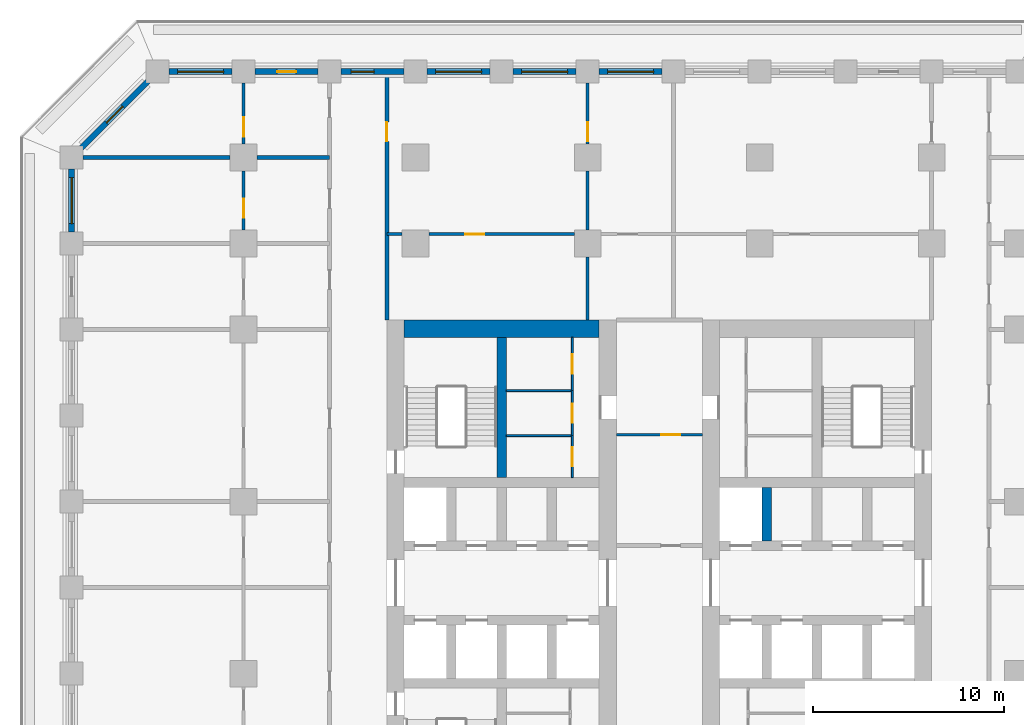
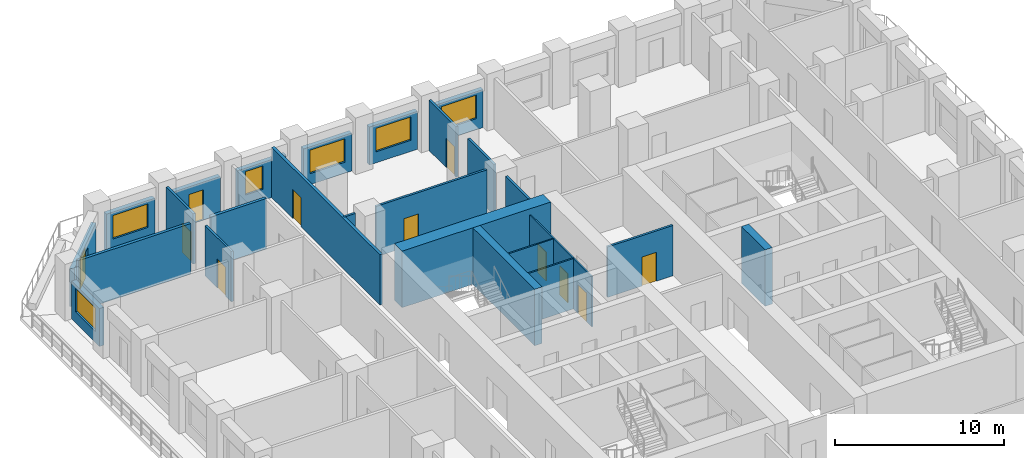
# One storey, part 7 of 17: 27 walls, 11 doors, 6 windows, 17 openings.
"""IFC4 building model written with IfcOpenShell, lengths in metres."""

from ifc_helpers import new_model, si_unit, direction, frame, frame_2d, origin, place, context, subcontext, project, spatial, rectangle, extrude, material, layer, layer_set, type_object, element, fill, save


model = new_model("IFC4")

# Units and contexts
model_context = context("Model", 3, precision=1e-05, world=origin(), true_north=direction((0.0, 1.0)))
body_context = subcontext(model_context, "Body", "Model", "MODEL_VIEW")
ifc_project = project(units=[si_unit("LENGTHUNIT", "METRE"), si_unit("AREAUNIT", "SQUARE_METRE"), si_unit("VOLUMEUNIT", "CUBIC_METRE"), si_unit("PLANEANGLEUNIT", "RADIAN"), si_unit("MASSUNIT", "GRAM", prefix="KILO")], contexts=[model_context])

# Site, building, storey
site_placement = place(None, origin())
site = spatial("IfcSite", under=ifc_project, at=site_placement, CompositionType="ELEMENT")
building_placement = place(site_placement, origin())
building = spatial("IfcBuilding", under=site, at=building_placement, Name="Corbel Stack Research Tower", CompositionType="ELEMENT")
storey_placement = place(building_placement, frame((0.0, 0.0, 129.0)))
storey = spatial("IfcBuildingStorey", under=building, at=storey_placement, Name="L29", CompositionType="ELEMENT", Elevation=129.0)

# Walls
ifc_material_1 = material(Name="Concrete C70/85", Category="concrete")
ifc_layer_1 = layer(ifc_material_1, 0.5)
ifc_layer_set_1 = layer_set([ifc_layer_1], Name="Concrete C70/85")
wall_type_1 = type_object("IfcWallType", Name="CW-500-70", PredefinedType="SHEAR", material=ifc_layer_set_1)
wall_1_placement = place(storey_placement, frame((-4.5, 10.25, 0.0), z_axis=(0.0, 0.0, 1.0), x_axis=(0.0, 1.0, 0.0)))
element("IfcWall", 1, at=wall_1_placement, inside=storey, type_object=wall_type_1, Name="West core wall, north stair and riser L29", PredefinedType="SHEAR", context=body_context, shape_type="SweptSolid", body=[
    extrude(rectangle(XDim=7.35009765625, YDim=0.5, at=frame_2d((3.675048828125, 0.0))), origin(), (0.0, 0.0, 1.0), 4.10009765625),
])
wall_2_placement = place(storey_placement, frame((9.375, 6.949951171875, 0.0), z_axis=(0.0, 0.0, 1.0), x_axis=(0.0, 1.0, 0.0)))
element("IfcWall", 2, at=wall_2_placement, inside=storey, type_object=wall_type_1, Name="East core wall, north shaft 1 L29", PredefinedType="SHEAR", context=body_context, shape_type="SweptSolid", body=[
    extrude(rectangle(XDim=2.800048828125, YDim=0.5, at=frame_2d((1.39990234375, 0.0))), origin(), (0.0, 0.0, 1.0), 4.10009765625),
])
ifc_material_2 = material(Name="Concrete C70/85", Category="concrete")
ifc_layer_2 = layer(ifc_material_2, 0.89990234375)
ifc_layer_set_2 = layer_set([ifc_layer_2], Name="Concrete C70/85")
wall_type_2 = type_object("IfcWallType", Name="CW-900-70", PredefinedType="SHEAR", material=ifc_layer_set_2)
wall_3_placement = place(storey_placement, frame((-9.60009765625, 18.050048828125, 0.0), z_axis=(0.0, 0.0, 1.0), x_axis=(1.0, 0.0, 0.0)))
element("IfcWall", 3, at=wall_3_placement, inside=storey, type_object=wall_type_2, Name="West core wall, north end L29", PredefinedType="SHEAR", context=body_context, shape_type="SweptSolid", body=[
    extrude(rectangle(XDim=10.2001953125, YDim=0.89990234375, at=frame_2d((5.10009765625, 0.0))), origin(), (0.0, 0.0, 1.0), 4.10009765625),
])

# Wall, opening, door
ifc_material_3 = material(Name="Gypsum board")
ifc_layer_3 = layer(ifc_material_3, 0.10009765625)
ifc_layer_set_3 = layer_set([ifc_layer_3], Name="Gypsum board")
wall_type_3 = type_object("IfcWallType", Name="Core partition 100", PredefinedType="PARTITIONING", material=ifc_layer_set_3)
wall_4_placement = place(storey_placement, frame((-0.800048828125, 10.25, 0.0), z_axis=(0.0, 0.0, 1.0), x_axis=(0.0, 1.0, 0.0)))
wall_4 = element("IfcWall", 4, at=wall_4_placement, inside=storey, type_object=wall_type_3, Name="Core partition W", PredefinedType="PARTITIONING", context=body_context, shape_type="SweptSolid", body=[
    extrude(rectangle(XDim=2.205078125, YDim=0.10009765625, at=frame_2d((1.1025390625, 0.0))), origin(), (0.0, 0.0, 1.0), 3.64990234375),
])
opening_1_placement = place(wall_4_placement, frame((0.6025390625, 0.0, 0.0)))
opening_1 = element("IfcOpeningElement", 5, at=opening_1_placement, cuts=wall_4, Name="Opening CR-W42-R2-1000", PredefinedType="OPENING", context=body_context, shape_type="SweptSolid", body=[
    extrude(rectangle(XDim=1.0, YDim=2.10009765625, at=frame_2d((0.5, 1.050048828125))), frame((0.0, 0.06005859375, 0.0), z_axis=(0.0, -1.0, 0.0), x_axis=(1.0, 0.0, 0.0)), (0.0, 0.0, 1.0), 0.1201171875),
])
ifc_material_4 = material(Name="Painted steel door", Category="steel")
door_type_1 = type_object("IfcDoorType", Name="Riser door 1000 x 2100 FD60 right hand", OperationType="SINGLE_SWING_RIGHT", PredefinedType="DOOR", material=ifc_material_4)
door_1_placement = place(opening_1_placement, origin())
door_1 = element("IfcDoor", 6, at=door_1_placement, inside=storey, type_object=door_type_1, Name="Mechanical riser door W core", OperationType="SINGLE_SWING_RIGHT", OverallHeight=2.10009765625, OverallWidth=1.0, PredefinedType="DOOR", context=body_context, shape_type="SweptSolid", body=[
    extrude(rectangle(XDim=1.0, YDim=2.10009765625, at=frame_2d((0.5, 1.050048828125))), frame((0.0, 0.02490234375, 0.0), z_axis=(0.0, -1.0, 0.0), x_axis=(1.0, 0.0, 0.0)), (0.0, 0.0, 1.0), 0.050048828125),
])
fill(opening_1, door_1)

wall_5_placement = place(storey_placement, frame((-0.800048828125, 12.455078125, 0.0), z_axis=(0.0, 0.0, 1.0), x_axis=(0.0, 1.0, 0.0)))
wall_5 = element("IfcWall", 7, at=wall_5_placement, inside=storey, type_object=wall_type_3, Name="Core partition W", PredefinedType="PARTITIONING", context=body_context, shape_type="SweptSolid", body=[
    extrude(rectangle(XDim=2.351806640625, YDim=0.10009765625, at=frame_2d((1.17578125, 0.0))), origin(), (0.0, 0.0, 1.0), 3.64990234375),
])
opening_2_placement = place(wall_5_placement, frame((0.676025390625, 0.0, 0.0)))
opening_2 = element("IfcOpeningElement", 8, at=opening_2_placement, cuts=wall_5, Name="Opening CR-W42-R3-1000", PredefinedType="OPENING", context=body_context, shape_type="SweptSolid", body=[
    extrude(rectangle(XDim=1.0, YDim=2.10009765625, at=frame_2d((0.5, 1.050048828125))), frame((0.0, 0.06005859375, 0.0), z_axis=(0.0, -1.0, 0.0), x_axis=(1.0, 0.0, 0.0)), (0.0, 0.0, 1.0), 0.1201171875),
])
ifc_material_5 = material(Name="Painted steel door", Category="steel")
door_type_2 = type_object("IfcDoorType", Name="Service door 1000 x 2100 FD30 left hand", OperationType="SINGLE_SWING_LEFT", PredefinedType="DOOR", material=ifc_material_5)
door_2_placement = place(opening_2_placement, origin())
door_2 = element("IfcDoor", 9, at=door_2_placement, inside=storey, type_object=door_type_2, Name="Pantry door W core", OperationType="SINGLE_SWING_LEFT", OverallHeight=2.10009765625, OverallWidth=1.0, PredefinedType="DOOR", context=body_context, shape_type="SweptSolid", body=[
    extrude(rectangle(XDim=1.0, YDim=2.10009765625, at=frame_2d((0.5, 1.050048828125))), frame((0.0, 0.02490234375, 0.0), z_axis=(0.0, -1.0, 0.0), x_axis=(1.0, 0.0, 0.0)), (0.0, 0.0, 1.0), 0.050048828125),
])
fill(opening_2, door_2)

wall_6_placement = place(storey_placement, frame((-0.800048828125, 14.806884765625, 0.0), z_axis=(0.0, 0.0, 1.0), x_axis=(0.0, 1.0, 0.0)))
wall_6 = element("IfcWall", 10, at=wall_6_placement, inside=storey, type_object=wall_type_3, Name="Core partition W", PredefinedType="PARTITIONING", context=body_context, shape_type="SweptSolid", body=[
    extrude(rectangle(XDim=2.793212890625, YDim=0.10009765625, at=frame_2d((1.396484375, 0.0))), origin(), (0.0, 0.0, 1.0), 3.64990234375),
])
opening_3_placement = place(wall_6_placement, frame((0.896484375, 0.0, 0.0)))
opening_3 = element("IfcOpeningElement", 11, at=opening_3_placement, cuts=wall_6, Name="Opening CR-W42-R4-1000", PredefinedType="OPENING", context=body_context, shape_type="SweptSolid", body=[
    extrude(rectangle(XDim=1.0, YDim=2.10009765625, at=frame_2d((0.5, 1.050048828125))), frame((0.0, 0.06005859375, 0.0), z_axis=(0.0, -1.0, 0.0), x_axis=(1.0, 0.0, 0.0)), (0.0, 0.0, 1.0), 0.1201171875),
])
door_3_placement = place(opening_3_placement, origin())
door_3 = element("IfcDoor", 12, at=door_3_placement, inside=storey, type_object=door_type_1, Name="Electrical riser door W core", OperationType="SINGLE_SWING_RIGHT", OverallHeight=2.10009765625, OverallWidth=1.0, PredefinedType="DOOR", context=body_context, shape_type="SweptSolid", body=[
    extrude(rectangle(XDim=1.0, YDim=2.10009765625, at=frame_2d((0.5, 1.050048828125))), frame((0.0, 0.02490234375, 0.0), z_axis=(0.0, -1.0, 0.0), x_axis=(1.0, 0.0, 0.0)), (0.0, 0.0, 1.0), 0.050048828125),
])
fill(opening_3, door_3)

# Walls
for number, where, z_axis, x_axis, name in (
    (13, (-4.25, 12.455078125, 0.0), (0.0, 0.0, 1.0), (1.0, 0.0, 0.0), "Core partition W"),
    (14, (-4.25, 14.806884765625, 0.0), (0.0, 0.0, 1.0), (1.0, 0.0, 0.0), "Core partition W"),
):
    element("IfcWall", number, at=place(storey_placement, frame(where, z_axis=z_axis, x_axis=x_axis)), inside=storey, type_object=wall_type_3, Name=name, PredefinedType="PARTITIONING", context=body_context, shape_type="SweptSolid", body=[
        extrude(rectangle(XDim=3.449951171875, YDim=0.10009765625, at=frame_2d((1.72509765625, 0.0))), origin(), (0.0, 0.0, 1.0), 3.64990234375),
    ])

# Wall, opening, door
ifc_material_6 = material(Name="Fire-rated gypsum board partition on steel studs", Category="steel")
ifc_layer_4 = layer(ifc_material_6, 0.14990234375)
ifc_layer_set_4 = layer_set([ifc_layer_4], Name="Fire-rated gypsum board partition on steel studs")
wall_type_4 = type_object("IfcWallType", Name="Fire-rated partition 150 EI 60", PredefinedType="PARTITIONING", material=ifc_layer_set_4)
wall_7_placement = place(storey_placement, frame((0.0, 30.89990234375, 0.0), z_axis=(0.0, 0.0, 1.0), x_axis=(0.0, -1.0, 0.0)))
wall_7 = element("IfcWall", 15, at=wall_7_placement, inside=storey, type_object=wall_type_4, Name="Partition L29-014", PredefinedType="PARTITIONING", context=body_context, shape_type="SweptSolid", body=[
    extrude(rectangle(XDim=3.199951171875, YDim=0.14990234375, at=frame_2d((1.60009765625, 0.0))), origin(), (0.0, 0.0, 1.0), 3.64990234375),
])
opening_4_placement = place(wall_7_placement, frame((2.050048828125, 0.0, 0.0)))
opening_4 = element("IfcOpeningElement", 16, at=opening_4_placement, cuts=wall_7, Name="Opening B4V1-023", PredefinedType="OPENING", context=body_context, shape_type="SweptSolid", body=[
    extrude(rectangle(XDim=1.0, YDim=2.10009765625, at=frame_2d((0.5, 1.050048828125))), frame((0.0, 0.0849609375, 0.0), z_axis=(0.0, -1.0, 0.0), x_axis=(1.0, 0.0, 0.0)), (0.0, 0.0, 1.0), 0.169921875),
])
ifc_material_7 = material(Name="Painted steel fire door", Category="steel")
door_type_3 = type_object("IfcDoorType", Name="Fire door FD30S 1000 x 2100", OperationType="NOTDEFINED", PredefinedType="DOOR", material=ifc_material_7)
door_4_placement = place(opening_4_placement, origin())
door_4 = element("IfcDoor", 17, at=door_4_placement, inside=storey, type_object=door_type_3, Name="Door B4V1-023", OperationType="SINGLE_SWING_RIGHT", OverallHeight=2.10009765625, OverallWidth=1.0, PredefinedType="DOOR", context=body_context, shape_type="SweptSolid", body=[
    extrude(rectangle(XDim=1.0, YDim=2.10009765625, at=frame_2d((0.5, 1.050048828125))), frame((0.0, 0.02490234375, 0.0), z_axis=(0.0, -1.0, 0.0), x_axis=(1.0, 0.0, 0.0)), (0.0, 0.0, 1.0), 0.050048828125),
])
fill(opening_4, door_4)

ifc_material_8 = material(Name="Fire-rated gypsum board partition on steel studs", Category="steel")
ifc_layer_5 = layer(ifc_material_8, 0.199951171875)
ifc_layer_set_5 = layer_set([ifc_layer_5], Name="Fire-rated gypsum board partition on steel studs")
wall_type_5 = type_object("IfcWallType", Name="Fire-rated partition 200 EI 60", PredefinedType="PARTITIONING", material=ifc_layer_set_5)
wall_8_placement = place(storey_placement, frame((-10.5, 31.35009765625, 0.0), z_axis=(0.0, 0.0, 1.0), x_axis=(0.0, -1.0, 0.0)))
wall_8 = element("IfcWall", 18, at=wall_8_placement, inside=storey, type_object=wall_type_5, Name="Partition L29-011", PredefinedType="PARTITIONING", context=body_context, shape_type="SweptSolid", body=[
    extrude(rectangle(XDim=12.85009765625, YDim=0.199951171875, at=frame_2d((6.425048828125, 0.0))), origin(), (0.0, 0.0, 1.0), 3.64990234375),
])
opening_5_placement = place(wall_8_placement, frame((2.5, 0.0, 0.0)))
opening_5 = element("IfcOpeningElement", 19, at=opening_5_placement, cuts=wall_8, Name="Opening B4V1-021", PredefinedType="OPENING", context=body_context, shape_type="SweptSolid", body=[
    extrude(rectangle(XDim=1.0, YDim=2.10009765625, at=frame_2d((0.5, 1.050048828125))), frame((0.0, 0.10986328125, 0.0), z_axis=(0.0, -1.0, 0.0), x_axis=(1.0, 0.0, 0.0)), (0.0, 0.0, 1.0), 0.219970703125),
])
door_5_placement = place(opening_5_placement, origin())
door_5 = element("IfcDoor", 20, at=door_5_placement, inside=storey, type_object=door_type_3, Name="Door B4V1-021", OperationType="SINGLE_SWING_LEFT", OverallHeight=2.10009765625, OverallWidth=1.0, PredefinedType="DOOR", context=body_context, shape_type="SweptSolid", body=[
    extrude(rectangle(XDim=1.0, YDim=2.10009765625, at=frame_2d((0.5, 1.050048828125))), frame((0.0, 0.02490234375, 0.0), z_axis=(0.0, -1.0, 0.0), x_axis=(1.0, 0.0, 0.0)), (0.0, 0.0, 1.0), 0.050048828125),
])
fill(opening_5, door_5)

# Walls
wall_9_placement = place(storey_placement, frame((-26.39990234375, 27.0, 0.0), z_axis=(0.0, 0.0, 1.0), x_axis=(1.0, 0.0, 0.0)))
element("IfcWall", 21, at=wall_9_placement, inside=storey, type_object=wall_type_5, Name="Partition L29-054", PredefinedType="PARTITIONING", context=body_context, shape_type="SweptSolid", body=[
    extrude(rectangle(XDim=7.699951171875, YDim=0.199951171875, at=frame_2d((3.85009765625, 0.0))), origin(), (0.0, 0.0, 1.0), 3.64990234375),
])
wall_10_placement = place(storey_placement, frame((-17.300048828125, 27.0, 0.0), z_axis=(0.0, 0.0, 1.0), x_axis=(1.0, 0.0, 0.0)))
element("IfcWall", 22, at=wall_10_placement, inside=storey, type_object=wall_type_5, Name="Partition L29-055", PredefinedType="PARTITIONING", context=body_context, shape_type="SweptSolid", body=[
    extrude(rectangle(XDim=3.800048828125, YDim=0.199951171875, at=frame_2d((1.89990234375, 0.0))), origin(), (0.0, 0.0, 1.0), 3.64990234375),
])

# Wall, opening, door
ifc_material_9 = material(Name="Gypsum board partition on steel studs", Category="steel")
ifc_layer_6 = layer(ifc_material_9, 0.14990234375)
ifc_layer_set_6 = layer_set([ifc_layer_6], Name="Gypsum board partition on steel studs")
wall_type_6 = type_object("IfcWallType", Name="Partition 150", PredefinedType="PARTITIONING", material=ifc_layer_set_6)
wall_11_placement = place(storey_placement, frame((-18.0, 23.199951171875, 0.0), z_axis=(0.0, 0.0, 1.0), x_axis=(0.0, 1.0, 0.0)))
wall_11 = element("IfcWall", 23, at=wall_11_placement, inside=storey, type_object=wall_type_6, Name="Partition L29-007", PredefinedType="PARTITIONING", context=body_context, shape_type="SweptSolid", body=[
    extrude(rectangle(XDim=3.10009765625, YDim=0.14990234375, at=frame_2d((1.550048828125, 0.0))), origin(), (0.0, 0.0, 1.0), 3.64990234375),
])
opening_6_placement = place(wall_11_placement, frame((0.64990234375, 0.0, 0.0)))
opening_6 = element("IfcOpeningElement", 24, at=opening_6_placement, cuts=wall_11, Name="Opening B4V1-007", PredefinedType="OPENING", context=body_context, shape_type="SweptSolid", body=[
    extrude(rectangle(XDim=1.0, YDim=2.10009765625, at=frame_2d((0.5, 1.050048828125))), frame((0.0, 0.0849609375, 0.0), z_axis=(0.0, -1.0, 0.0), x_axis=(1.0, 0.0, 0.0)), (0.0, 0.0, 1.0), 0.169921875),
])
ifc_material_10 = material(Name="Painted timber door", Category="wood")
door_type_4 = type_object("IfcDoorType", Name="Single door 1000 x 2100", OperationType="NOTDEFINED", PredefinedType="DOOR", material=ifc_material_10)
door_6_placement = place(opening_6_placement, origin())
door_6 = element("IfcDoor", 25, at=door_6_placement, inside=storey, type_object=door_type_4, Name="Door B4V1-007", OperationType="SINGLE_SWING_LEFT", OverallHeight=2.10009765625, OverallWidth=1.0, PredefinedType="DOOR", context=body_context, shape_type="SweptSolid", body=[
    extrude(rectangle(XDim=1.0, YDim=2.10009765625, at=frame_2d((0.5, 1.050048828125))), frame((0.0, 0.02490234375, 0.0), z_axis=(0.0, -1.0, 0.0), x_axis=(1.0, 0.0, 0.0)), (0.0, 0.0, 1.0), 0.050048828125),
])
fill(opening_6, door_6)

wall_12_placement = place(storey_placement, frame((-18.0, 27.699951171875, 0.0), z_axis=(0.0, 0.0, 1.0), x_axis=(0.0, 1.0, 0.0)))
wall_12 = element("IfcWall", 26, at=wall_12_placement, inside=storey, type_object=wall_type_6, Name="Partition L29-008", PredefinedType="PARTITIONING", context=body_context, shape_type="SweptSolid", body=[
    extrude(rectangle(XDim=3.199951171875, YDim=0.14990234375, at=frame_2d((1.60009765625, 0.0))), origin(), (0.0, 0.0, 1.0), 3.64990234375),
])
opening_7_placement = place(wall_12_placement, frame((0.39990234375, 0.0, 0.0)))
opening_7 = element("IfcOpeningElement", 27, at=opening_7_placement, cuts=wall_12, Name="Opening B4V1-008", PredefinedType="OPENING", context=body_context, shape_type="SweptSolid", body=[
    extrude(rectangle(XDim=1.0, YDim=2.10009765625, at=frame_2d((0.5, 1.050048828125))), frame((0.0, 0.0849609375, 0.0), z_axis=(0.0, -1.0, 0.0), x_axis=(1.0, 0.0, 0.0)), (0.0, 0.0, 1.0), 0.169921875),
])
door_7_placement = place(opening_7_placement, origin())
door_7 = element("IfcDoor", 28, at=door_7_placement, inside=storey, type_object=door_type_4, Name="Door B4V1-008", OperationType="SINGLE_SWING_LEFT", OverallHeight=2.10009765625, OverallWidth=1.0, PredefinedType="DOOR", context=body_context, shape_type="SweptSolid", body=[
    extrude(rectangle(XDim=1.0, YDim=2.10009765625, at=frame_2d((0.5, 1.050048828125))), frame((0.0, 0.02490234375, 0.0), z_axis=(0.0, -1.0, 0.0), x_axis=(1.0, 0.0, 0.0)), (0.0, 0.0, 1.0), 0.050048828125),
])
fill(opening_7, door_7)

# Walls
wall_13_placement = place(storey_placement, frame((0.0, 18.5, 0.0), z_axis=(0.0, 0.0, 1.0), x_axis=(0.0, 1.0, 0.0)))
element("IfcWall", 29, at=wall_13_placement, inside=storey, type_object=wall_type_6, Name="Partition L29-012", PredefinedType="PARTITIONING", context=body_context, shape_type="SweptSolid", body=[
    extrude(rectangle(XDim=3.300048828125, YDim=0.14990234375, at=frame_2d((1.64990234375, 0.0))), origin(), (0.0, 0.0, 1.0), 3.64990234375),
])
wall_14_placement = place(storey_placement, frame((0.0, 23.199951171875, 0.0), z_axis=(0.0, 0.0, 1.0), x_axis=(0.0, 1.0, 0.0)))
element("IfcWall", 30, at=wall_14_placement, inside=storey, type_object=wall_type_6, Name="Partition L29-013", PredefinedType="PARTITIONING", context=body_context, shape_type="SweptSolid", body=[
    extrude(rectangle(XDim=3.10009765625, YDim=0.14990234375, at=frame_2d((1.550048828125, 0.0))), origin(), (0.0, 0.0, 1.0), 3.64990234375),
])

# Wall, opening, door
wall_15_placement = place(storey_placement, frame((1.5, 12.5, 0.0), z_axis=(0.0, 0.0, 1.0), x_axis=(1.0, 0.0, 0.0)))
wall_15 = element("IfcWall", 31, at=wall_15_placement, inside=storey, type_object=wall_type_6, Name="Partition L29-040", PredefinedType="PARTITIONING", context=body_context, shape_type="SweptSolid", body=[
    extrude(rectangle(XDim=4.5, YDim=0.14990234375, at=frame_2d((2.25, 0.0))), origin(), (0.0, 0.0, 1.0), 3.64990234375),
])
opening_8_placement = place(wall_15_placement, frame((2.35009765625, 0.0, 0.0)))
opening_8 = element("IfcOpeningElement", 32, at=opening_8_placement, cuts=wall_15, Name="Opening B4V1-025", PredefinedType="OPENING", context=body_context, shape_type="SweptSolid", body=[
    extrude(rectangle(XDim=1.0, YDim=2.10009765625, at=frame_2d((0.5, 1.050048828125))), frame((0.0, 0.0849609375, 0.0), z_axis=(0.0, -1.0, 0.0), x_axis=(1.0, 0.0, 0.0)), (0.0, 0.0, 1.0), 0.169921875),
])
door_8_placement = place(opening_8_placement, origin())
door_8 = element("IfcDoor", 33, at=door_8_placement, inside=storey, type_object=door_type_4, Name="Door B4V1-025", OperationType="SINGLE_SWING_RIGHT", OverallHeight=2.10009765625, OverallWidth=1.0, PredefinedType="DOOR", context=body_context, shape_type="SweptSolid", body=[
    extrude(rectangle(XDim=1.0, YDim=2.10009765625, at=frame_2d((0.5, 1.050048828125))), frame((0.0, 0.02490234375, 0.0), z_axis=(0.0, -1.0, 0.0), x_axis=(1.0, 0.0, 0.0)), (0.0, 0.0, 1.0), 0.050048828125),
])
fill(opening_8, door_8)

# Wall
wall_16_placement = place(storey_placement, frame((-10.5, 23.0, 0.0), z_axis=(0.0, 0.0, 1.0), x_axis=(1.0, 0.0, 0.0)))
element("IfcWall", 34, at=wall_16_placement, inside=storey, type_object=wall_type_6, Name="Partition L29-050", PredefinedType="PARTITIONING", context=body_context, shape_type="SweptSolid", body=[
    extrude(rectangle(XDim=0.800048828125, YDim=0.14990234375, at=frame_2d((0.39990234375, 0.0))), origin(), (0.0, 0.0, 1.0), 3.64990234375),
])

# Wall, opening, door
wall_17_placement = place(storey_placement, frame((-0.699951171875, 23.0, 0.0), z_axis=(0.0, 0.0, 1.0), x_axis=(-1.0, 0.0, 0.0)))
wall_17 = element("IfcWall", 35, at=wall_17_placement, inside=storey, type_object=wall_type_6, Name="Partition L29-051", PredefinedType="PARTITIONING", context=body_context, shape_type="SweptSolid", body=[
    extrude(rectangle(XDim=7.60009765625, YDim=0.14990234375, at=frame_2d((3.800048828125, 0.0))), origin(), (0.0, 0.0, 1.0), 3.64990234375),
])
opening_9_placement = place(wall_17_placement, frame((4.699951171875, 0.0, 0.0)))
opening_9 = element("IfcOpeningElement", 36, at=opening_9_placement, cuts=wall_17, Name="Opening B4V1-036", PredefinedType="OPENING", context=body_context, shape_type="SweptSolid", body=[
    extrude(rectangle(XDim=1.0, YDim=2.10009765625, at=frame_2d((0.5, 1.050048828125))), frame((0.0, 0.0849609375, 0.0), z_axis=(0.0, -1.0, 0.0), x_axis=(1.0, 0.0, 0.0)), (0.0, 0.0, 1.0), 0.169921875),
])
door_9_placement = place(opening_9_placement, origin())
door_9 = element("IfcDoor", 37, at=door_9_placement, inside=storey, type_object=door_type_4, Name="Door B4V1-036", OperationType="SINGLE_SWING_RIGHT", OverallHeight=2.10009765625, OverallWidth=1.0, PredefinedType="DOOR", context=body_context, shape_type="SweptSolid", body=[
    extrude(rectangle(XDim=1.0, YDim=2.10009765625, at=frame_2d((0.5, 1.050048828125))), frame((0.0, 0.02490234375, 0.0), z_axis=(0.0, -1.0, 0.0), x_axis=(1.0, 0.0, 0.0)), (0.0, 0.0, 1.0), 0.050048828125),
])
fill(opening_9, door_9)

# Wall, opening, window
ifc_material_11 = material(Name="Concrete C45/55", Category="concrete")
ifc_layer_7 = layer(ifc_material_11, 0.300048828125)
ifc_layer_set_7 = layer_set([ifc_layer_7], Name="Concrete C45/55")
wall_type_7 = type_object("IfcWallType", Name="Terracotta-faced concrete wall 300", PredefinedType="SOLIDWALL", material=ifc_layer_set_7)
wall_18_placement = place(storey_placement, frame((0.60009765625, 31.5, 0.0), z_axis=(0.0, 0.0, 1.0), x_axis=(1.0, 0.0, 0.0)))
wall_18 = element("IfcWall", 38, at=wall_18_placement, inside=storey, type_object=wall_type_7, Name="Facade wall L29 N05", PredefinedType="SOLIDWALL", context=body_context, shape_type="SweptSolid", body=[
    extrude(rectangle(XDim=3.2998046875, YDim=0.300048828125, at=frame_2d((1.64990234375, 0.0))), origin(), (0.0, 0.0, 1.0), 2.75),
])
opening_10_placement = place(wall_18_placement, frame((0.449951171875, 0.0, 0.800048828125)))
opening_10 = element("IfcOpeningElement", 39, at=opening_10_placement, cuts=wall_18, Name="Opening W1", PredefinedType="OPENING", context=body_context, shape_type="SweptSolid", body=[
    extrude(rectangle(XDim=2.39990234375, YDim=1.699951171875, at=frame_2d((1.199951171875, 0.85009765625))), frame((0.0, 0.159912109375, 0.0), z_axis=(0.0, -1.0, 0.0), x_axis=(1.0, 0.0, 0.0)), (0.0, 0.0, 1.0), 0.320068359375),
])
ifc_material_12 = material(Name="Aluminium frame, clear double glazing", Category="aluminium")
window_type_1 = type_object("IfcWindowType", Name="Window W1 2400 x 1700", PartitioningType="SINGLE_PANEL", PredefinedType="WINDOW", material=ifc_material_12)
window_1_placement = place(opening_10_placement, origin())
window_1 = element("IfcWindow", 40, at=window_1_placement, inside=storey, type_object=window_type_1, Name="Window W1 L29 N05", OverallHeight=1.699951171875, OverallWidth=2.39990234375, PartitioningType="SINGLE_PANEL", PredefinedType="WINDOW", context=body_context, shape_type="SweptSolid", body=[
    extrude(rectangle(XDim=2.39990234375, YDim=1.699951171875, at=frame_2d((1.199951171875, 0.85009765625))), frame((0.0, 0.030029296875, 0.0), z_axis=(0.0, -1.0, 0.0), x_axis=(1.0, 0.0, 0.0)), (0.0, 0.0, 1.0), 0.06005859375),
])
fill(opening_10, window_1)

wall_19_placement = place(storey_placement, frame((-3.89990234375, 31.5, 0.0), z_axis=(0.0, 0.0, 1.0), x_axis=(1.0, 0.0, 0.0)))
wall_19 = element("IfcWall", 41, at=wall_19_placement, inside=storey, type_object=wall_type_7, Name="Facade wall L29 N06", PredefinedType="SOLIDWALL", context=body_context, shape_type="SweptSolid", body=[
    extrude(rectangle(XDim=3.2998046875, YDim=0.300048828125, at=frame_2d((1.64990234375, 0.0))), origin(), (0.0, 0.0, 1.0), 2.75),
])
opening_11_placement = place(wall_19_placement, frame((0.449951171875, 0.0, 0.800048828125)))
opening_11 = element("IfcOpeningElement", 42, at=opening_11_placement, cuts=wall_19, Name="Opening W1", PredefinedType="OPENING", context=body_context, shape_type="SweptSolid", body=[
    extrude(rectangle(XDim=2.39990234375, YDim=1.699951171875, at=frame_2d((1.199951171875, 0.85009765625))), frame((0.0, 0.159912109375, 0.0), z_axis=(0.0, -1.0, 0.0), x_axis=(1.0, 0.0, 0.0)), (0.0, 0.0, 1.0), 0.320068359375),
])
window_2_placement = place(opening_11_placement, origin())
window_2 = element("IfcWindow", 43, at=window_2_placement, inside=storey, type_object=window_type_1, Name="Window W1 L29 N06", OverallHeight=1.699951171875, OverallWidth=2.39990234375, PartitioningType="SINGLE_PANEL", PredefinedType="WINDOW", context=body_context, shape_type="SweptSolid", body=[
    extrude(rectangle(XDim=2.39990234375, YDim=1.699951171875, at=frame_2d((1.199951171875, 0.85009765625))), frame((0.0, 0.030029296875, 0.0), z_axis=(0.0, -1.0, 0.0), x_axis=(1.0, 0.0, 0.0)), (0.0, 0.0, 1.0), 0.06005859375),
])
fill(opening_11, window_2)

wall_20_placement = place(storey_placement, frame((-8.39990234375, 31.5, 0.0), z_axis=(0.0, 0.0, 1.0), x_axis=(1.0, 0.0, 0.0)))
wall_20 = element("IfcWall", 44, at=wall_20_placement, inside=storey, type_object=wall_type_7, Name="Facade wall L29 N07", PredefinedType="SOLIDWALL", context=body_context, shape_type="SweptSolid", body=[
    extrude(rectangle(XDim=3.2998046875, YDim=0.300048828125, at=frame_2d((1.64990234375, 0.0))), origin(), (0.0, 0.0, 1.0), 2.75),
])
opening_12_placement = place(wall_20_placement, frame((0.449951171875, 0.0, 0.800048828125)))
opening_12 = element("IfcOpeningElement", 45, at=opening_12_placement, cuts=wall_20, Name="Opening W1", PredefinedType="OPENING", context=body_context, shape_type="SweptSolid", body=[
    extrude(rectangle(XDim=2.39990234375, YDim=1.699951171875, at=frame_2d((1.199951171875, 0.85009765625))), frame((0.0, 0.159912109375, 0.0), z_axis=(0.0, -1.0, 0.0), x_axis=(1.0, 0.0, 0.0)), (0.0, 0.0, 1.0), 0.320068359375),
])
window_3_placement = place(opening_12_placement, origin())
window_3 = element("IfcWindow", 46, at=window_3_placement, inside=storey, type_object=window_type_1, Name="Window W1 L29 N07", OverallHeight=1.699951171875, OverallWidth=2.39990234375, PartitioningType="SINGLE_PANEL", PredefinedType="WINDOW", context=body_context, shape_type="SweptSolid", body=[
    extrude(rectangle(XDim=2.39990234375, YDim=1.699951171875, at=frame_2d((1.199951171875, 0.85009765625))), frame((0.0, 0.030029296875, 0.0), z_axis=(0.0, -1.0, 0.0), x_axis=(1.0, 0.0, 0.0)), (0.0, 0.0, 1.0), 0.06005859375),
])
fill(opening_12, window_3)

wall_21_placement = place(storey_placement, frame((-12.89990234375, 31.5, 0.0), z_axis=(0.0, 0.0, 1.0), x_axis=(1.0, 0.0, 0.0)))
wall_21 = element("IfcWall", 47, at=wall_21_placement, inside=storey, type_object=wall_type_7, Name="Facade wall L29 N08", PredefinedType="SOLIDWALL", context=body_context, shape_type="SweptSolid", body=[
    extrude(rectangle(XDim=3.2998046875, YDim=0.300048828125, at=frame_2d((1.64990234375, 0.0))), origin(), (0.0, 0.0, 1.0), 2.75),
])
opening_13_placement = place(wall_21_placement, frame((0.52490234375, 0.0, 0.800048828125)))
opening_13 = element("IfcOpeningElement", 48, at=opening_13_placement, cuts=wall_21, Name="Opening W2", PredefinedType="OPENING", context=body_context, shape_type="SweptSolid", body=[
    extrude(rectangle(XDim=1.199951171875, YDim=1.699951171875, at=frame_2d((0.60009765625, 0.85009765625))), frame((0.0, 0.159912109375, 0.0), z_axis=(0.0, -1.0, 0.0), x_axis=(1.0, 0.0, 0.0)), (0.0, 0.0, 1.0), 0.320068359375),
])
ifc_material_13 = material(Name="Aluminium frame, clear double glazing", Category="aluminium")
window_type_2 = type_object("IfcWindowType", Name="Window W2 1200 x 1700", PartitioningType="SINGLE_PANEL", PredefinedType="WINDOW", material=ifc_material_13)
window_4_placement = place(opening_13_placement, origin())
window_4 = element("IfcWindow", 49, at=window_4_placement, inside=storey, type_object=window_type_2, Name="Window W2 L29 N08", OverallHeight=1.699951171875, OverallWidth=1.199951171875, PartitioningType="SINGLE_PANEL", PredefinedType="WINDOW", context=body_context, shape_type="SweptSolid", body=[
    extrude(rectangle(XDim=1.199951171875, YDim=1.699951171875, at=frame_2d((0.60009765625, 0.85009765625))), frame((0.0, 0.030029296875, 0.0), z_axis=(0.0, -1.0, 0.0), x_axis=(1.0, 0.0, 0.0)), (0.0, 0.0, 1.0), 0.06005859375),
])
fill(opening_13, window_4)

# Wall, opening, door
wall_22_placement = place(storey_placement, frame((-17.39990234375, 31.5, 0.0), z_axis=(0.0, 0.0, 1.0), x_axis=(1.0, 0.0, 0.0)))
wall_22 = element("IfcWall", 50, at=wall_22_placement, inside=storey, type_object=wall_type_7, Name="Facade wall L29 N09", PredefinedType="SOLIDWALL", context=body_context, shape_type="SweptSolid", body=[
    extrude(rectangle(XDim=3.2998046875, YDim=0.300048828125, at=frame_2d((1.64990234375, 0.0))), origin(), (0.0, 0.0, 1.0), 2.75),
])
opening_14_placement = place(wall_22_placement, frame((1.14990234375, 0.0, 0.0)))
opening_14 = element("IfcOpeningElement", 51, at=opening_14_placement, cuts=wall_22, Name="Opening L29-B08", PredefinedType="OPENING", context=body_context, shape_type="SweptSolid", body=[
    extrude(rectangle(XDim=1.0, YDim=2.199951171875, at=frame_2d((0.5, 1.10009765625))), frame((0.0, 0.159912109375, 0.0), z_axis=(0.0, -1.0, 0.0), x_axis=(1.0, 0.0, 0.0)), (0.0, 0.0, 1.0), 0.320068359375),
])
ifc_material_14 = material(Name="Aluminium frame, clear double glazing", Category="aluminium")
door_type_5 = type_object("IfcDoorType", Name="Balcony door BD1 1000 x 2200", OperationType="NOTDEFINED", PredefinedType="DOOR", material=ifc_material_14)
door_10_placement = place(opening_14_placement, origin())
door_10 = element("IfcDoor", 52, at=door_10_placement, inside=storey, type_object=door_type_5, Name="Balcony door L29-B08", OperationType="SINGLE_SWING_RIGHT", OverallHeight=2.199951171875, OverallWidth=1.0, PredefinedType="DOOR", context=body_context, shape_type="SweptSolid", body=[
    extrude(rectangle(XDim=1.0, YDim=2.199951171875, at=frame_2d((0.5, 1.10009765625))), frame((0.0, 0.02490234375, 0.0), z_axis=(0.0, -1.0, 0.0), x_axis=(1.0, 0.0, 0.0)), (0.0, 0.0, 1.0), 0.050048828125),
])
fill(opening_14, door_10)

# Wall, opening, window
wall_23_placement = place(storey_placement, frame((-21.89990234375, 31.5, 0.0), z_axis=(0.0, 0.0, 1.0), x_axis=(1.0, 0.0, 0.0)))
wall_23 = element("IfcWall", 53, at=wall_23_placement, inside=storey, type_object=wall_type_7, Name="Facade wall L29 N10", PredefinedType="SOLIDWALL", context=body_context, shape_type="SweptSolid", body=[
    extrude(rectangle(XDim=3.2998046875, YDim=0.300048828125, at=frame_2d((1.64990234375, 0.0))), origin(), (0.0, 0.0, 1.0), 2.75),
])
opening_15_placement = place(wall_23_placement, frame((0.449951171875, 0.0, 0.800048828125)))
opening_15 = element("IfcOpeningElement", 54, at=opening_15_placement, cuts=wall_23, Name="Opening W1", PredefinedType="OPENING", context=body_context, shape_type="SweptSolid", body=[
    extrude(rectangle(XDim=2.39990234375, YDim=1.699951171875, at=frame_2d((1.199951171875, 0.85009765625))), frame((0.0, 0.159912109375, 0.0), z_axis=(0.0, -1.0, 0.0), x_axis=(1.0, 0.0, 0.0)), (0.0, 0.0, 1.0), 0.320068359375),
])
window_5_placement = place(opening_15_placement, origin())
window_5 = element("IfcWindow", 55, at=window_5_placement, inside=storey, type_object=window_type_1, Name="Window W1 L29 N10", OverallHeight=1.699951171875, OverallWidth=2.39990234375, PartitioningType="SINGLE_PANEL", PredefinedType="WINDOW", context=body_context, shape_type="SweptSolid", body=[
    extrude(rectangle(XDim=2.39990234375, YDim=1.699951171875, at=frame_2d((1.199951171875, 0.85009765625))), frame((0.0, 0.030029296875, 0.0), z_axis=(0.0, -1.0, 0.0), x_axis=(1.0, 0.0, 0.0)), (0.0, 0.0, 1.0), 0.06005859375),
])
fill(opening_15, window_5)

# Wall, opening, door
wall_24_placement = place(storey_placement, frame((-26.506103515625, 27.493896484375, 0.0), z_axis=(0.0, 0.0, 1.0), x_axis=(0.707106781187, 0.707106781187, 0.0)))
wall_24 = element("IfcWall", 56, at=wall_24_placement, inside=storey, type_object=wall_type_7, Name="Facade wall L29 NW01", PredefinedType="SOLIDWALL", context=body_context, shape_type="SweptSolid", body=[
    extrude(rectangle(XDim=4.967041015625, YDim=0.300048828125, at=frame_2d((2.4833984375, 0.0))), origin(), (0.0, 0.0, 1.0), 2.75),
])
opening_16_placement = place(wall_24_placement, frame((1.883544921875, 0.0, 0.0)))
opening_16 = element("IfcOpeningElement", 57, at=opening_16_placement, cuts=wall_24, Name="Opening L29-B09", PredefinedType="OPENING", context=body_context, shape_type="SweptSolid", body=[
    extrude(rectangle(XDim=1.199951171875, YDim=2.199951171875, at=frame_2d((0.60009765625, 1.10009765625))), frame((0.0, 0.159912109375, 0.0), z_axis=(0.0, -1.0, 0.0), x_axis=(1.0, 0.0, 0.0)), (0.0, 0.0, 1.0), 0.320068359375),
])
ifc_material_15 = material(Name="Aluminium frame, clear double glazing", Category="aluminium")
door_type_6 = type_object("IfcDoorType", Name="Balcony door BD2 1200 x 2200", OperationType="NOTDEFINED", PredefinedType="DOOR", material=ifc_material_15)
door_11_placement = place(opening_16_placement, origin())
door_11 = element("IfcDoor", 58, at=door_11_placement, inside=storey, type_object=door_type_6, Name="Balcony door L29-B09", OperationType="SINGLE_SWING_RIGHT", OverallHeight=2.199951171875, OverallWidth=1.199951171875, PredefinedType="DOOR", context=body_context, shape_type="SweptSolid", body=[
    extrude(rectangle(XDim=1.199951171875, YDim=2.199951171875, at=frame_2d((0.60009765625, 1.10009765625))), frame((0.0, 0.02490234375, 0.0), z_axis=(0.0, -1.0, 0.0), x_axis=(1.0, 0.0, 0.0)), (0.0, 0.0, 1.0), 0.050048828125),
])
fill(opening_16, door_11)

# Wall, opening, window
wall_25_placement = place(storey_placement, frame((-27.0, 23.10009765625, 0.0), z_axis=(0.0, 0.0, 1.0), x_axis=(0.0, 1.0, 0.0)))
wall_25 = element("IfcWall", 59, at=wall_25_placement, inside=storey, type_object=wall_type_7, Name="Facade wall L29 W01", PredefinedType="SOLIDWALL", context=body_context, shape_type="SweptSolid", body=[
    extrude(rectangle(XDim=3.2998046875, YDim=0.300048828125, at=frame_2d((1.64990234375, 0.0))), origin(), (0.0, 0.0, 1.0), 2.75),
])
opening_17_placement = place(wall_25_placement, frame((0.449951171875, 0.0, 0.800048828125)))
opening_17 = element("IfcOpeningElement", 60, at=opening_17_placement, cuts=wall_25, Name="Opening W1", PredefinedType="OPENING", context=body_context, shape_type="SweptSolid", body=[
    extrude(rectangle(XDim=2.39990234375, YDim=1.699951171875, at=frame_2d((1.199951171875, 0.85009765625))), frame((0.0, 0.159912109375, 0.0), z_axis=(0.0, -1.0, 0.0), x_axis=(1.0, 0.0, 0.0)), (0.0, 0.0, 1.0), 0.320068359375),
])
window_6_placement = place(opening_17_placement, origin())
window_6 = element("IfcWindow", 61, at=window_6_placement, inside=storey, type_object=window_type_1, Name="Window W1 L29 W01", OverallHeight=1.699951171875, OverallWidth=2.39990234375, PartitioningType="SINGLE_PANEL", PredefinedType="WINDOW", context=body_context, shape_type="SweptSolid", body=[
    extrude(rectangle(XDim=2.39990234375, YDim=1.699951171875, at=frame_2d((1.199951171875, 0.85009765625))), frame((0.0, 0.030029296875, 0.0), z_axis=(0.0, -1.0, 0.0), x_axis=(1.0, 0.0, 0.0)), (0.0, 0.0, 1.0), 0.06005859375),
])
fill(opening_17, window_6)

save(model, "model.ifc")
